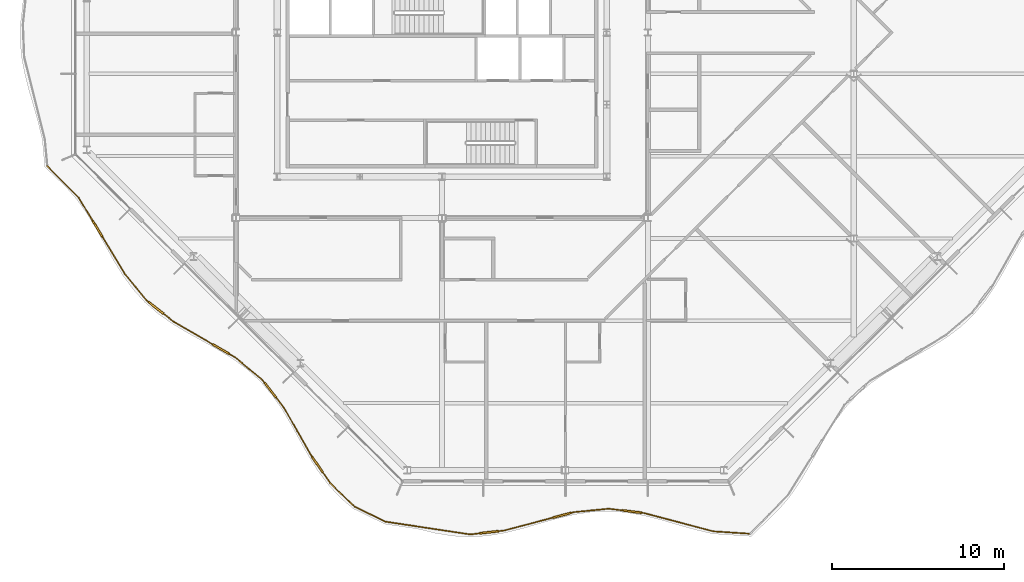
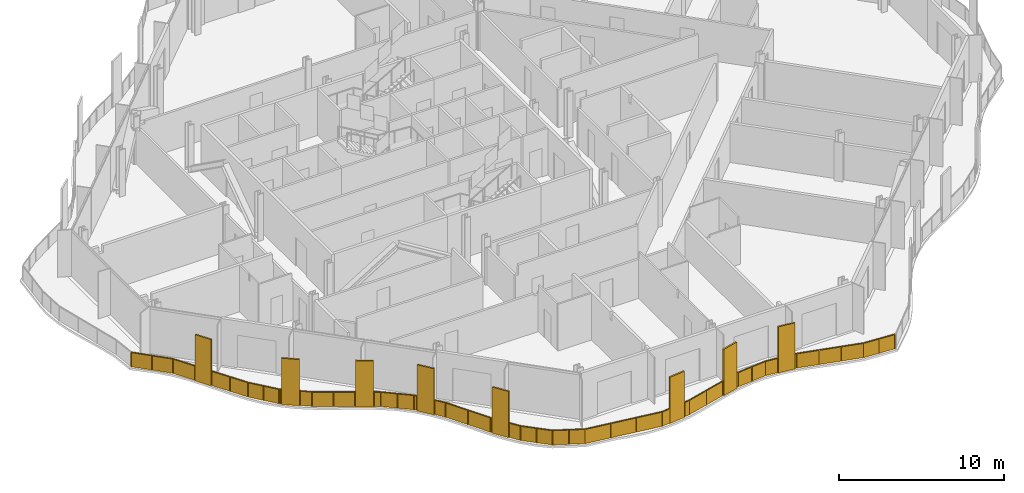
# One storey, part 13 of 17: 1 railing.
"""IFC4 building model written with IfcOpenShell, lengths in metres."""

from ifc_helpers import new_model, si_unit, direction, frame, origin, origin_2d, place, context, subcontext, project, spatial, polyline, rectangle, outline, extrude, material, type_object, element, save


model = new_model("IFC4")

# Units and contexts
model_context = context("Model", 3, precision=1e-05, world=origin(), true_north=direction((0.0, 1.0)))
body_context = subcontext(model_context, "Body", "Model", "MODEL_VIEW")
ifc_project = project(units=[si_unit("LENGTHUNIT", "METRE"), si_unit("AREAUNIT", "SQUARE_METRE"), si_unit("VOLUMEUNIT", "CUBIC_METRE"), si_unit("PLANEANGLEUNIT", "RADIAN"), si_unit("MASSUNIT", "GRAM", prefix="KILO")], contexts=[model_context])

# Site, building, storey
site_placement = place(None, origin())
site = spatial("IfcSite", under=ifc_project, at=site_placement, CompositionType="ELEMENT")
building_placement = place(site_placement, origin())
building = spatial("IfcBuilding", under=site, at=building_placement, Name="Cairn Pilgrim Tower", CompositionType="ELEMENT")
storey_placement = place(building_placement, frame((0.0, 0.0, 221.39990234375)))
storey = spatial("IfcBuildingStorey", under=building, at=storey_placement, Name="L56", CompositionType="ELEMENT", Elevation=221.39990234375)

# Railing
ifc_material = material(Name="Bronze anodised aluminium rail, posts and fin screens with laminated glass infill", Category="aluminium")
railing_type = type_object("IfcRailingType", Name="BALCONY GUARD WITH FIN SCREENS", PredefinedType="GUARDRAIL", material=ifc_material)
railing_placement = place(storey_placement, frame((-15.80615234375, -5.375, 0.0)))
element("IfcRailing", 1, at=railing_placement, inside=storey, type_object=railing_type, Name="Balcony guard BGF-7 with fin screens", PredefinedType="GUARDRAIL", context=body_context, shape_type="SweptSolid", body=[
    extrude(rectangle(XDim=0.050048828125, YDim=0.050048828125, at=origin_2d()), frame((0.0, 0.0, 1.0751953125), z_axis=(0.703225648841, -0.710966726938, 0.0), x_axis=(0.710966726938, 0.703225648841, 0.0)), (0.0, 0.0, 1.0), 2.61767578125),
    extrude(rectangle(XDim=1.10009765625, YDim=0.110107421875, at=origin_2d()), frame((2.92529296875, -3.65185546875, 0.0), z_axis=(0.0, 0.0, 1.0), x_axis=(0.518002181732, -0.855379295822, 0.0)), (0.0, 0.0, 1.0), 3.39990234375),
    extrude(rectangle(XDim=0.050048828125, YDim=0.050048828125, at=origin_2d()), frame((1.8408203125, -1.861083984375, 1.0751953125), z_axis=(0.518002181732, -0.855379295822, 0.0), x_axis=(0.855379295822, 0.518002181732, 0.0)), (0.0, 0.0, 1.0), 1.54345703125),
    extrude(rectangle(XDim=0.050048828125, YDim=0.050048828125, at=origin_2d()), frame((3.210205078125, -4.122314453125, 1.0751953125), z_axis=(0.518002181732, -0.855379295822, 0.0), x_axis=(0.855379295822, 0.518002181732, 0.0)), (0.0, 0.0, 1.0), 2.54150390625),
    extrude(rectangle(XDim=0.050048828125, YDim=0.050048828125, at=origin_2d()), frame((4.526611328125, -6.296142578125, 1.0751953125), z_axis=(0.634057622113, -0.773285802172, 0.0), x_axis=(0.773285802172, 0.634057622113, 0.0)), (0.0, 0.0, 1.0), 1.99365234375),
    extrude(rectangle(XDim=1.10009765625, YDim=0.110107421875, at=origin_2d()), frame((6.342041015625, -8.26953125, 0.0), z_axis=(0.0, 0.0, 1.0), x_axis=(0.787342642203, -0.616515663847, 0.0)), (0.0, 0.0, 1.0), 3.39990234375),
    extrude(rectangle(XDim=0.050048828125, YDim=0.050048828125, at=origin_2d()), frame((5.790771484375, -7.837890625, 1.0751953125), z_axis=(0.787342642203, -0.616515663847, 0.0), x_axis=(0.616515663847, 0.787342642203, 0.0)), (0.0, 0.0, 1.0), 0.150146484375),
    extrude(rectangle(XDim=0.050048828125, YDim=0.050048828125, at=origin_2d()), frame((6.775146484375, -8.608642578125, 1.0751953125), z_axis=(0.787342642203, -0.616515663847, 0.0), x_axis=(0.616515663847, 0.787342642203, 0.0)), (0.0, 0.0, 1.0), 0.749267578125),
    extrude(rectangle(XDim=1.10009765625, YDim=0.110107421875, at=origin_2d()), frame((10.12109375, -10.673828125, 0.0), z_axis=(0.0, 0.0, 1.0), x_axis=(0.864409977314, -0.502787620294, 0.0)), (0.0, 0.0, 1.0), 3.39990234375),
    extrude(rectangle(XDim=0.050048828125, YDim=0.050048828125, at=origin_2d()), frame((7.364990234375, -9.070556640625, 1.0751953125), z_axis=(0.864409977314, -0.502787620294, 0.0), x_axis=(0.502787620294, 0.864409977314, 0.0)), (0.0, 0.0, 1.0), 2.638427734375),
    extrude(rectangle(XDim=0.050048828125, YDim=0.050048828125, at=origin_2d()), frame((10.5966796875, -10.9501953125, 1.0751953125), z_axis=(0.864409977314, -0.502787620294, 0.0), x_axis=(0.502787620294, 0.864409977314, 0.0)), (0.0, 0.0, 1.0), 0.42431640625),
    extrude(rectangle(XDim=0.050048828125, YDim=0.050048828125, at=origin_2d()), frame((10.96337890625, -11.16357421875, 1.0751953125), z_axis=(0.770238920419, -0.63775544331, 0.0), x_axis=(0.63775544331, 0.770238920419, 0.0)), (0.0, 0.0, 1.0), 2.049072265625),
    extrude(rectangle(XDim=1.10009765625, YDim=0.110107421875, at=origin_2d()), frame((13.008056640625, -13.071533203125, 0.0), z_axis=(0.0, 0.0, 1.0), x_axis=(0.612887116001, -0.790170477201, 0.0)), (0.0, 0.0, 1.0), 3.39990234375),
    extrude(rectangle(XDim=0.050048828125, YDim=0.050048828125, at=origin_2d()), frame((12.541748046875, -12.470458984375, 1.0751953125), z_axis=(0.612887116001, -0.790170477201, 0.0), x_axis=(0.790170477201, 0.612887116001, 0.0)), (0.0, 0.0, 1.0), 0.210693359375),
    extrude(rectangle(XDim=0.050048828125, YDim=0.050048828125, at=origin_2d()), frame((13.344970703125, -13.506103515625, 1.0751953125), z_axis=(0.612887116001, -0.790170477201, 0.0), x_axis=(0.790170477201, 0.612887116001, 0.0)), (0.0, 0.0, 1.0), 0.743896484375),
    extrude(rectangle(XDim=0.050048828125, YDim=0.050048828125, at=origin_2d()), frame((13.801025390625, -14.093994140625, 1.0751953125), z_axis=(0.494073652808, -0.869420051299, 0.0), x_axis=(0.869420051299, 0.494073652808, 0.0)), (0.0, 0.0, 1.0), 3.1337890625),
    extrude(rectangle(XDim=1.10009765625, YDim=0.110107421875, at=origin_2d()), frame((15.74462890625, -17.396240234375, 0.0), z_axis=(0.0, 0.0, 1.0), x_axis=(0.564817944853, -0.825215541039, 0.0)), (0.0, 0.0, 1.0), 3.39990234375),
    extrude(rectangle(XDim=0.050048828125, YDim=0.050048828125, at=origin_2d()), frame((15.349365234375, -16.818603515625, 1.0751953125), z_axis=(0.564817944853, -0.825215541039, 0.0), x_axis=(0.825215541039, 0.564817944853, 0.0)), (0.0, 0.0, 1.0), 0.14990234375),
    extrude(rectangle(XDim=0.050048828125, YDim=0.050048828125, at=origin_2d()), frame((16.055419921875, -17.85009765625, 1.0751953125), z_axis=(0.564817944853, -0.825215541039, 0.0), x_axis=(0.825215541039, 0.564817944853, 0.0)), (0.0, 0.0, 1.0), 0.774169921875),
    extrude(rectangle(XDim=0.050048828125, YDim=0.050048828125, at=origin_2d()), frame((16.49267578125, -18.489013671875, 1.0751953125), z_axis=(0.722889046607, -0.690964128082, 0.0), x_axis=(0.690964128082, 0.722889046607, 0.0)), (0.0, 0.0, 1.0), 1.972900390625),
    extrude(rectangle(XDim=0.050048828125, YDim=0.050048828125, at=origin_2d()), frame((17.9189453125, -19.852294921875, 1.0751953125), z_axis=(0.898868001889, -0.438219482885, 0.0), x_axis=(0.438219482885, 0.898868001889, 0.0)), (0.0, 0.0, 1.0), 2.0029296875),
    extrude(rectangle(XDim=0.050048828125, YDim=0.050048828125, at=origin_2d()), frame((19.71923828125, -20.72998046875, 1.0751953125), z_axis=(0.98882115773, -0.149106398339, 0.0), x_axis=(0.149106398339, 0.98882115773, 0.0)), (0.0, 0.0, 1.0), 4.9873046875),
    extrude(rectangle(XDim=1.10009765625, YDim=0.110107421875, at=origin_2d()), frame((25.748779296875, -21.34716796875, 0.0), z_axis=(0.0, 0.0, 1.0), x_axis=(0.993419071083, 0.114536235351, 0.0)), (0.0, 0.0, 1.0), 3.39990234375),
    extrude(rectangle(XDim=0.050048828125, YDim=0.050048828125, at=origin_2d()), frame((24.65087890625, -21.4736328125, 1.0751953125), z_axis=(0.993419071083, 0.114536235351, 0.0), x_axis=(-0.114536235351, 0.993419071083, 0.0)), (0.0, 0.0, 1.0), 0.55517578125),
    extrude(rectangle(XDim=0.050048828125, YDim=0.050048828125, at=origin_2d()), frame((26.295166015625, -21.2841796875, 1.0751953125), z_axis=(0.993419071083, 0.114536235351, 0.0), x_axis=(-0.114536235351, 0.993419071083, 0.0)), (0.0, 0.0, 1.0), 0.3486328125),
    extrude(rectangle(XDim=1.10009765625, YDim=0.110107421875, at=origin_2d()), frame((30.008056640625, -20.35400390625, 0.0), z_axis=(0.0, 0.0, 1.0), x_axis=(0.966778237652, 0.255616586323, 0.0)), (0.0, 0.0, 1.0), 3.39990234375),
    extrude(rectangle(XDim=0.050048828125, YDim=0.050048828125, at=origin_2d()), frame((26.641357421875, -21.244140625, 1.0751953125), z_axis=(0.966778237652, 0.255616586323, 0.0), x_axis=(-0.255616586323, 0.966778237652, 0.0)), (0.0, 0.0, 1.0), 2.9326171875),
    extrude(rectangle(XDim=0.050048828125, YDim=0.050048828125, at=origin_2d()), frame((30.539794921875, -20.21337890625, 1.0751953125), z_axis=(0.966778237652, 0.255616586323, 0.0), x_axis=(-0.255616586323, 0.966778237652, 0.0)), (0.0, 0.0, 1.0), 0.14990234375),
    extrude(rectangle(XDim=0.050048828125, YDim=0.050048828125, at=origin_2d()), frame((30.684814453125, -20.175048828125, 1.0751953125), z_axis=(0.995274913369, 0.097097099946, 0.0), x_axis=(-0.097097099946, 0.995274913369, 0.0)), (0.0, 0.0, 1.0), 2.059326171875),
    extrude(rectangle(XDim=1.10009765625, YDim=0.110107421875, at=origin_2d()), frame((34.08740234375, -20.142578125, 0.0), z_axis=(0.0, 0.0, 1.0), x_axis=(0.992428237928, -0.12282586276, 0.0)), (0.0, 0.0, 1.0), 3.39990234375),
    extrude(rectangle(XDim=0.050048828125, YDim=0.050048828125, at=origin_2d()), frame((32.734375, -19.97509765625, 1.0751953125), z_axis=(0.992428237928, -0.12282586276, 0.0), x_axis=(0.12282586276, 0.992428237928, 0.0)), (0.0, 0.0, 1.0), 0.8134765625),
    extrude(rectangle(XDim=0.050048828125, YDim=0.050048828125, at=origin_2d()), frame((34.63330078125, -20.210205078125, 1.0751953125), z_axis=(0.992428237928, -0.12282586276, 0.0), x_axis=(0.12282586276, 0.992428237928, 0.0)), (0.0, 0.0, 1.0), 0.14990234375),
    extrude(rectangle(XDim=0.050048828125, YDim=0.050048828125, at=origin_2d()), frame((34.781982421875, -20.228515625, 1.0751953125), z_axis=(0.966878119658, -0.255238519283, 0.0), x_axis=(0.255238519283, 0.966878119658, 0.0)), (0.0, 0.0, 1.0), 4.17626953125),
    extrude(rectangle(XDim=0.050048828125, YDim=0.050048828125, at=origin_2d()), frame((38.81982421875, -21.29443359375, 1.0751953125), z_axis=(0.997906462396, -0.064673737393, 0.0), x_axis=(0.064673737393, 0.997906462396, 0.0)), (0.0, 0.0, 1.0), 2.098876953125),
    extrude(rectangle(XDim=0.050048828125, YDim=0.050048828125, at=origin_2d()), origin(), (0.0, 0.0, 1.0), 1.050048828125),
    extrude(rectangle(XDim=0.050048828125, YDim=0.050048828125, at=origin_2d()), frame((0.92041015625, -0.9306640625, 0.0)), (0.0, 0.0, 1.0), 1.050048828125),
    extrude(rectangle(XDim=0.050048828125, YDim=0.050048828125, at=origin_2d()), frame((1.8408203125, -1.861083984375, 0.0)), (0.0, 0.0, 1.0), 1.050048828125),
    extrude(rectangle(XDim=0.050048828125, YDim=0.050048828125, at=origin_2d()), frame((2.62744140625, -3.159912109375, 0.0)), (0.0, 0.0, 1.0), 1.050048828125),
    extrude(rectangle(XDim=0.050048828125, YDim=0.050048828125, at=origin_2d()), frame((3.22314453125, -4.1435546875, 0.0)), (0.0, 0.0, 1.0), 1.050048828125),
    extrude(rectangle(XDim=0.050048828125, YDim=0.050048828125, at=origin_2d()), frame((3.874755859375, -5.219970703125, 0.0)), (0.0, 0.0, 1.0), 1.050048828125),
    extrude(rectangle(XDim=0.050048828125, YDim=0.050048828125, at=origin_2d()), frame((4.526611328125, -6.296142578125, 0.0)), (0.0, 0.0, 1.0), 1.050048828125),
    extrude(rectangle(XDim=0.050048828125, YDim=0.050048828125, at=origin_2d()), frame((5.15869140625, -7.06689453125, 0.0)), (0.0, 0.0, 1.0), 1.050048828125),
    extrude(rectangle(XDim=0.050048828125, YDim=0.050048828125, at=origin_2d()), frame((5.790771484375, -7.837890625, 0.0)), (0.0, 0.0, 1.0), 1.050048828125),
    extrude(rectangle(XDim=0.050048828125, YDim=0.050048828125, at=origin_2d()), frame((5.889404296875, -7.9150390625, 0.0)), (0.0, 0.0, 1.0), 1.050048828125),
    extrude(rectangle(XDim=0.050048828125, YDim=0.050048828125, at=origin_2d()), frame((6.794677734375, -8.6240234375, 0.0)), (0.0, 0.0, 1.0), 1.050048828125),
    extrude(rectangle(XDim=0.050048828125, YDim=0.050048828125, at=origin_2d()), frame((7.364990234375, -9.070556640625, 0.0)), (0.0, 0.0, 1.0), 1.050048828125),
    extrude(rectangle(XDim=0.050048828125, YDim=0.050048828125, at=origin_2d()), frame((8.49462890625, -9.7275390625, 0.0)), (0.0, 0.0, 1.0), 1.050048828125),
    extrude(rectangle(XDim=0.050048828125, YDim=0.050048828125, at=origin_2d()), frame((9.6240234375, -10.384521484375, 0.0)), (0.0, 0.0, 1.0), 1.050048828125),
    extrude(rectangle(XDim=0.050048828125, YDim=0.050048828125, at=origin_2d()), frame((10.6181640625, -10.962890625, 0.0)), (0.0, 0.0, 1.0), 1.050048828125),
    extrude(rectangle(XDim=0.050048828125, YDim=0.050048828125, at=origin_2d()), frame((10.96337890625, -11.16357421875, 0.0)), (0.0, 0.0, 1.0), 1.050048828125),
    extrude(rectangle(XDim=0.050048828125, YDim=0.050048828125, at=origin_2d()), frame((11.75244140625, -11.81689453125, 0.0)), (0.0, 0.0, 1.0), 1.050048828125),
    extrude(rectangle(XDim=0.050048828125, YDim=0.050048828125, at=origin_2d()), frame((12.541748046875, -12.470458984375, 0.0)), (0.0, 0.0, 1.0), 1.050048828125),
    extrude(rectangle(XDim=0.050048828125, YDim=0.050048828125, at=origin_2d()), frame((12.655517578125, -12.6171875, 0.0)), (0.0, 0.0, 1.0), 1.050048828125),
    extrude(rectangle(XDim=0.050048828125, YDim=0.050048828125, at=origin_2d()), frame((13.3603515625, -13.52587890625, 0.0)), (0.0, 0.0, 1.0), 1.050048828125),
    extrude(rectangle(XDim=0.050048828125, YDim=0.050048828125, at=origin_2d()), frame((13.801025390625, -14.093994140625, 0.0)), (0.0, 0.0, 1.0), 1.050048828125),
    extrude(rectangle(XDim=0.050048828125, YDim=0.050048828125, at=origin_2d()), frame((14.5751953125, -15.456298828125, 0.0)), (0.0, 0.0, 1.0), 1.050048828125),
    extrude(rectangle(XDim=0.050048828125, YDim=0.050048828125, at=origin_2d()), frame((15.349365234375, -16.818603515625, 0.0)), (0.0, 0.0, 1.0), 1.050048828125),
    extrude(rectangle(XDim=0.050048828125, YDim=0.050048828125, at=origin_2d()), frame((15.419921875, -16.921630859375, 0.0)), (0.0, 0.0, 1.0), 1.050048828125),
    extrude(rectangle(XDim=0.050048828125, YDim=0.050048828125, at=origin_2d()), frame((16.069580078125, -17.87060546875, 0.0)), (0.0, 0.0, 1.0), 1.050048828125),
    extrude(rectangle(XDim=0.050048828125, YDim=0.050048828125, at=origin_2d()), frame((16.49267578125, -18.489013671875, 0.0)), (0.0, 0.0, 1.0), 1.050048828125),
    extrude(rectangle(XDim=0.050048828125, YDim=0.050048828125, at=origin_2d()), frame((17.205810546875, -19.170654296875, 0.0)), (0.0, 0.0, 1.0), 1.050048828125),
    extrude(rectangle(XDim=0.050048828125, YDim=0.050048828125, at=origin_2d()), frame((17.9189453125, -19.852294921875, 0.0)), (0.0, 0.0, 1.0), 1.050048828125),
    extrude(rectangle(XDim=0.050048828125, YDim=0.050048828125, at=origin_2d()), frame((18.819091796875, -20.291015625, 0.0)), (0.0, 0.0, 1.0), 1.050048828125),
    extrude(rectangle(XDim=0.050048828125, YDim=0.050048828125, at=origin_2d()), frame((19.71923828125, -20.72998046875, 0.0)), (0.0, 0.0, 1.0), 1.050048828125),
    extrude(rectangle(XDim=0.050048828125, YDim=0.050048828125, at=origin_2d()), frame((21.363037109375, -20.977783203125, 0.0)), (0.0, 0.0, 1.0), 1.050048828125),
    extrude(rectangle(XDim=0.050048828125, YDim=0.050048828125, at=origin_2d()), frame((23.007080078125, -21.225830078125, 0.0)), (0.0, 0.0, 1.0), 1.050048828125),
    extrude(rectangle(XDim=0.050048828125, YDim=0.050048828125, at=origin_2d()), frame((24.65087890625, -21.4736328125, 0.0)), (0.0, 0.0, 1.0), 1.050048828125),
    extrude(rectangle(XDim=0.050048828125, YDim=0.050048828125, at=origin_2d()), frame((25.177490234375, -21.412841796875, 0.0)), (0.0, 0.0, 1.0), 1.050048828125),
    extrude(rectangle(XDim=0.050048828125, YDim=0.050048828125, at=origin_2d()), frame((26.31982421875, -21.28125, 0.0)), (0.0, 0.0, 1.0), 1.050048828125),
    extrude(rectangle(XDim=0.050048828125, YDim=0.050048828125, at=origin_2d()), frame((26.641357421875, -21.244140625, 0.0)), (0.0, 0.0, 1.0), 1.050048828125),
    extrude(rectangle(XDim=0.050048828125, YDim=0.050048828125, at=origin_2d()), frame((28.046875, -20.87255859375, 0.0)), (0.0, 0.0, 1.0), 1.050048828125),
    extrude(rectangle(XDim=0.050048828125, YDim=0.050048828125, at=origin_2d()), frame((29.4521484375, -20.5009765625, 0.0)), (0.0, 0.0, 1.0), 1.050048828125),
    extrude(rectangle(XDim=0.050048828125, YDim=0.050048828125, at=origin_2d()), frame((30.564208984375, -20.20703125, 0.0)), (0.0, 0.0, 1.0), 1.050048828125),
    extrude(rectangle(XDim=0.050048828125, YDim=0.050048828125, at=origin_2d()), frame((30.684814453125, -20.175048828125, 0.0)), (0.0, 0.0, 1.0), 1.050048828125),
    extrude(rectangle(XDim=0.050048828125, YDim=0.050048828125, at=origin_2d()), frame((31.70947265625, -20.0751953125, 0.0)), (0.0, 0.0, 1.0), 1.050048828125),
    extrude(rectangle(XDim=0.050048828125, YDim=0.050048828125, at=origin_2d()), frame((32.734375, -19.97509765625, 0.0)), (0.0, 0.0, 1.0), 1.050048828125),
    extrude(rectangle(XDim=0.050048828125, YDim=0.050048828125, at=origin_2d()), frame((33.516845703125, -20.072021484375, 0.0)), (0.0, 0.0, 1.0), 1.050048828125),
    extrude(rectangle(XDim=0.050048828125, YDim=0.050048828125, at=origin_2d()), frame((34.658203125, -20.213134765625, 0.0)), (0.0, 0.0, 1.0), 1.050048828125),
    extrude(rectangle(XDim=0.050048828125, YDim=0.050048828125, at=origin_2d()), frame((34.781982421875, -20.228515625, 0.0)), (0.0, 0.0, 1.0), 1.050048828125),
    extrude(rectangle(XDim=0.050048828125, YDim=0.050048828125, at=origin_2d()), frame((36.1279296875, -20.583740234375, 0.0)), (0.0, 0.0, 1.0), 1.050048828125),
    extrude(rectangle(XDim=0.050048828125, YDim=0.050048828125, at=origin_2d()), frame((37.473876953125, -20.939208984375, 0.0)), (0.0, 0.0, 1.0), 1.050048828125),
    extrude(rectangle(XDim=0.050048828125, YDim=0.050048828125, at=origin_2d()), frame((38.81982421875, -21.29443359375, 0.0)), (0.0, 0.0, 1.0), 1.050048828125),
    extrude(rectangle(XDim=0.050048828125, YDim=0.050048828125, at=origin_2d()), frame((39.8671875, -21.3623046875, 0.0)), (0.0, 0.0, 1.0), 1.050048828125),
    extrude(rectangle(XDim=0.050048828125, YDim=0.050048828125, at=origin_2d()), frame((40.914306640625, -21.43017578125, 0.0)), (0.0, 0.0, 1.0), 1.050048828125),
    extrude(outline(polyline([(0.02490234375, 0.0), (1.283935546875, 0.0), (1.283935546875, 1.050048828125), (0.02490234375, 1.050048828125), (0.02490234375, 0.0)])), frame((0.004150390625, 0.004150390625, 0.0), z_axis=(-0.710966726938, -0.703225648841, 0.0), x_axis=(0.703225648841, -0.710966726938, 0.0)), (0.0, 0.0, 1.0), 0.011962890625),
    extrude(outline(polyline([(0.02490234375, 0.0), (1.283935546875, 0.0), (1.283935546875, 1.050048828125), (0.02490234375, 1.050048828125), (0.02490234375, 0.0)])), frame((0.924560546875, -0.92626953125, 0.0), z_axis=(-0.710966726938, -0.703225648841, 0.0), x_axis=(0.703225648841, -0.710966726938, 0.0)), (0.0, 0.0, 1.0), 0.011962890625),
    extrude(outline(polyline([(0.02490234375, 0.0), (1.493408203125, 0.0), (1.493408203125, 1.050048828125), (0.02490234375, 1.050048828125), (0.02490234375, 0.0)])), frame((1.845947265625, -1.85791015625, 0.0), z_axis=(-0.855379295822, -0.518002181732, 0.0), x_axis=(0.518002181732, -0.855379295822, 0.0)), (0.0, 0.0, 1.0), 0.011962890625),
    extrude(outline(polyline([(0.02490234375, 0.0), (1.233154296875, 0.0), (1.233154296875, 1.050048828125), (0.02490234375, 1.050048828125), (0.02490234375, 0.0)])), frame((3.228271484375, -4.140625, 0.0), z_axis=(-0.855379295822, -0.518002181732, 0.0), x_axis=(0.518002181732, -0.855379295822, 0.0)), (0.0, 0.0, 1.0), 0.011962890625),
    extrude(outline(polyline([(0.02490234375, 0.0), (1.233154296875, 0.0), (1.233154296875, 1.050048828125), (0.02490234375, 1.050048828125), (0.02490234375, 0.0)])), frame((3.8798828125, -5.216796875, 0.0), z_axis=(-0.855379295822, -0.518002181732, 0.0), x_axis=(0.518002181732, -0.855379295822, 0.0)), (0.0, 0.0, 1.0), 0.011962890625),
    extrude(outline(polyline([(0.02490234375, 0.0), (0.971923828125, 0.0), (0.971923828125, 1.050048828125), (0.02490234375, 1.050048828125), (0.02490234375, 0.0)])), frame((4.53125, -6.292236328125, 0.0), z_axis=(-0.773285802172, -0.634057622113, 0.0), x_axis=(0.634057622113, -0.773285802172, 0.0)), (0.0, 0.0, 1.0), 0.011962890625),
    extrude(outline(polyline([(0.02490234375, 0.0), (0.971923828125, 0.0), (0.971923828125, 1.050048828125), (0.02490234375, 1.050048828125), (0.02490234375, 0.0)])), frame((5.163330078125, -7.063232421875, 0.0), z_axis=(-0.773285802172, -0.634057622113, 0.0), x_axis=(0.634057622113, -0.773285802172, 0.0)), (0.0, 0.0, 1.0), 0.011962890625),
    extrude(outline(polyline([(0.02490234375, 0.0), (0.10009765625, 0.0), (0.10009765625, 1.050048828125), (0.02490234375, 1.050048828125), (0.02490234375, 0.0)])), frame((5.79443359375, -7.833251953125, 0.0), z_axis=(-0.616515663847, -0.787342642203, 0.0), x_axis=(0.787342642203, -0.616515663847, 0.0)), (0.0, 0.0, 1.0), 0.011962890625),
    extrude(outline(polyline([(0.02490234375, 0.0), (0.69921875, 0.0), (0.69921875, 1.050048828125), (0.02490234375, 1.050048828125), (0.02490234375, 0.0)])), frame((6.79833984375, -8.619384765625, 0.0), z_axis=(-0.616515663847, -0.787342642203, 0.0), x_axis=(0.787342642203, -0.616515663847, 0.0)), (0.0, 0.0, 1.0), 0.011962890625),
    extrude(outline(polyline([(0.02490234375, 0.0), (1.28173828125, 0.0), (1.28173828125, 1.050048828125), (0.02490234375, 1.050048828125), (0.02490234375, 0.0)])), frame((7.367919921875, -9.0654296875, 0.0), z_axis=(-0.502787620294, -0.864409977314, 0.0), x_axis=(0.864409977314, -0.502787620294, 0.0)), (0.0, 0.0, 1.0), 0.011962890625),
    extrude(outline(polyline([(0.02490234375, 0.0), (1.28173828125, 0.0), (1.28173828125, 1.050048828125), (0.02490234375, 1.050048828125), (0.02490234375, 0.0)])), frame((8.49755859375, -9.722412109375, 0.0), z_axis=(-0.502787620294, -0.864409977314, 0.0), x_axis=(0.864409977314, -0.502787620294, 0.0)), (0.0, 0.0, 1.0), 0.011962890625),
    extrude(outline(polyline([(0.02490234375, 0.0), (0.374267578125, 0.0), (0.374267578125, 1.050048828125), (0.02490234375, 1.050048828125), (0.02490234375, 0.0)])), frame((10.621337890625, -10.957763671875, 0.0), z_axis=(-0.502787620294, -0.864409977314, 0.0), x_axis=(0.864409977314, -0.502787620294, 0.0)), (0.0, 0.0, 1.0), 0.011962890625),
    extrude(outline(polyline([(0.02490234375, 0.0), (0.99951171875, 0.0), (0.99951171875, 1.050048828125), (0.02490234375, 1.050048828125), (0.02490234375, 0.0)])), frame((10.96728515625, -11.158935546875, 0.0), z_axis=(-0.63775544331, -0.770238920419, 0.0), x_axis=(0.770238920419, -0.63775544331, 0.0)), (0.0, 0.0, 1.0), 0.011962890625),
    extrude(outline(polyline([(0.02490234375, 0.0), (0.99951171875, 0.0), (0.99951171875, 1.050048828125), (0.02490234375, 1.050048828125), (0.02490234375, 0.0)])), frame((11.75634765625, -11.8125, 0.0), z_axis=(-0.63775544331, -0.770238920419, 0.0), x_axis=(0.770238920419, -0.63775544331, 0.0)), (0.0, 0.0, 1.0), 0.011962890625),
    extrude(outline(polyline([(0.02490234375, 0.0), (0.16064453125, 0.0), (0.16064453125, 1.050048828125), (0.02490234375, 1.050048828125), (0.02490234375, 0.0)])), frame((12.54638671875, -12.466796875, 0.0), z_axis=(-0.790170477201, -0.612887116001, 0.0), x_axis=(0.612887116001, -0.790170477201, 0.0)), (0.0, 0.0, 1.0), 0.011962890625),
    extrude(outline(polyline([(0.02490234375, 0.0), (0.69384765625, 0.0), (0.69384765625, 1.050048828125), (0.02490234375, 1.050048828125), (0.02490234375, 0.0)])), frame((13.365234375, -13.522216796875, 0.0), z_axis=(-0.790170477201, -0.612887116001, 0.0), x_axis=(0.612887116001, -0.790170477201, 0.0)), (0.0, 0.0, 1.0), 0.011962890625),
    extrude(outline(polyline([(0.02490234375, 0.0), (1.5419921875, 0.0), (1.5419921875, 1.050048828125), (0.02490234375, 1.050048828125), (0.02490234375, 0.0)])), frame((13.80615234375, -14.091064453125, 0.0), z_axis=(-0.869420051299, -0.494073652808, 0.0), x_axis=(0.494073652808, -0.869420051299, 0.0)), (0.0, 0.0, 1.0), 0.011962890625),
    extrude(outline(polyline([(0.02490234375, 0.0), (1.5419921875, 0.0), (1.5419921875, 1.050048828125), (0.02490234375, 1.050048828125), (0.02490234375, 0.0)])), frame((14.580322265625, -15.453369140625, 0.0), z_axis=(-0.869420051299, -0.494073652808, 0.0), x_axis=(0.494073652808, -0.869420051299, 0.0)), (0.0, 0.0, 1.0), 0.011962890625),
    extrude(outline(polyline([(0.02490234375, 0.0), (0.099853515625, 0.0), (0.099853515625, 1.050048828125), (0.02490234375, 1.050048828125), (0.02490234375, 0.0)])), frame((15.354248046875, -16.815185546875, 0.0), z_axis=(-0.825215541039, -0.564817944853, 0.0), x_axis=(0.564817944853, -0.825215541039, 0.0)), (0.0, 0.0, 1.0), 0.011962890625),
    extrude(outline(polyline([(0.02490234375, 0.0), (0.72412109375, 0.0), (0.72412109375, 1.050048828125), (0.02490234375, 1.050048828125), (0.02490234375, 0.0)])), frame((16.074462890625, -17.867431640625, 0.0), z_axis=(-0.825215541039, -0.564817944853, 0.0), x_axis=(0.564817944853, -0.825215541039, 0.0)), (0.0, 0.0, 1.0), 0.011962890625),
    extrude(outline(polyline([(0.02490234375, 0.0), (0.96142578125, 0.0), (0.96142578125, 1.050048828125), (0.02490234375, 1.050048828125), (0.02490234375, 0.0)])), frame((16.496826171875, -18.484619140625, 0.0), z_axis=(-0.690964128082, -0.722889046607, 0.0), x_axis=(0.722889046607, -0.690964128082, 0.0)), (0.0, 0.0, 1.0), 0.011962890625),
    extrude(outline(polyline([(0.02490234375, 0.0), (0.96142578125, 0.0), (0.96142578125, 1.050048828125), (0.02490234375, 1.050048828125), (0.02490234375, 0.0)])), frame((17.2099609375, -19.166259765625, 0.0), z_axis=(-0.690964128082, -0.722889046607, 0.0), x_axis=(0.722889046607, -0.690964128082, 0.0)), (0.0, 0.0, 1.0), 0.011962890625),
    extrude(outline(polyline([(0.02490234375, 0.0), (0.976318359375, 0.0), (0.976318359375, 1.050048828125), (0.02490234375, 1.050048828125), (0.02490234375, 0.0)])), frame((17.921630859375, -19.846923828125, 0.0), z_axis=(-0.438219482885, -0.898868001889, 0.0), x_axis=(0.898868001889, -0.438219482885, 0.0)), (0.0, 0.0, 1.0), 0.011962890625),
    extrude(outline(polyline([(0.02490234375, 0.0), (0.976318359375, 0.0), (0.976318359375, 1.050048828125), (0.02490234375, 1.050048828125), (0.02490234375, 0.0)])), frame((18.82177734375, -20.28564453125, 0.0), z_axis=(-0.438219482885, -0.898868001889, 0.0), x_axis=(0.898868001889, -0.438219482885, 0.0)), (0.0, 0.0, 1.0), 0.011962890625),
    extrude(outline(polyline([(0.02490234375, 0.0), (1.637451171875, 0.0), (1.637451171875, 1.050048828125), (0.02490234375, 1.050048828125), (0.02490234375, 0.0)])), frame((19.72021484375, -20.72412109375, 0.0), z_axis=(-0.149106398339, -0.98882115773, 0.0), x_axis=(0.98882115773, -0.149106398339, 0.0)), (0.0, 0.0, 1.0), 0.011962890625),
    extrude(outline(polyline([(0.02490234375, 0.0), (1.637451171875, 0.0), (1.637451171875, 1.050048828125), (0.02490234375, 1.050048828125), (0.02490234375, 0.0)])), frame((21.364013671875, -20.971923828125, 0.0), z_axis=(-0.149106398339, -0.98882115773, 0.0), x_axis=(0.98882115773, -0.149106398339, 0.0)), (0.0, 0.0, 1.0), 0.011962890625),
    extrude(outline(polyline([(0.02490234375, 0.0), (1.637451171875, 0.0), (1.637451171875, 1.050048828125), (0.02490234375, 1.050048828125), (0.02490234375, 0.0)])), frame((23.0078125, -21.2197265625, 0.0), z_axis=(-0.149106398339, -0.98882115773, 0.0), x_axis=(0.98882115773, -0.149106398339, 0.0)), (0.0, 0.0, 1.0), 0.011962890625),
    extrude(outline(polyline([(0.02490234375, 0.0), (0.505126953125, 0.0), (0.505126953125, 1.050048828125), (0.02490234375, 1.050048828125), (0.02490234375, 0.0)])), frame((24.650146484375, -21.4677734375, 0.0), z_axis=(0.114536235351, -0.993419071083, 0.0), x_axis=(0.993419071083, 0.114536235351, 0.0)), (0.0, 0.0, 1.0), 0.011962890625),
    extrude(outline(polyline([(0.02490234375, 0.0), (0.298583984375, 0.0), (0.298583984375, 1.050048828125), (0.02490234375, 1.050048828125), (0.02490234375, 0.0)])), frame((26.3193359375, -21.275146484375, 0.0), z_axis=(0.114536235351, -0.993419071083, 0.0), x_axis=(0.993419071083, 0.114536235351, 0.0)), (0.0, 0.0, 1.0), 0.011962890625),
    extrude(outline(polyline([(0.02490234375, 0.0), (1.4287109375, 0.0), (1.4287109375, 1.050048828125), (0.02490234375, 1.050048828125), (0.02490234375, 0.0)])), frame((26.639892578125, -21.23828125, 0.0), z_axis=(0.255616586323, -0.966778237652, 0.0), x_axis=(0.966778237652, 0.255616586323, 0.0)), (0.0, 0.0, 1.0), 0.011962890625),
    extrude(outline(polyline([(0.02490234375, 0.0), (1.4287109375, 0.0), (1.4287109375, 1.050048828125), (0.02490234375, 1.050048828125), (0.02490234375, 0.0)])), frame((28.045166015625, -20.86669921875, 0.0), z_axis=(0.255616586323, -0.966778237652, 0.0), x_axis=(0.966778237652, 0.255616586323, 0.0)), (0.0, 0.0, 1.0), 0.011962890625),
    extrude(outline(polyline([(0.02490234375, 0.0), (0.099853515625, 0.0), (0.099853515625, 1.050048828125), (0.02490234375, 1.050048828125), (0.02490234375, 0.0)])), frame((30.5625, -20.201171875, 0.0), z_axis=(0.255616586323, -0.966778237652, 0.0), x_axis=(0.966778237652, 0.255616586323, 0.0)), (0.0, 0.0, 1.0), 0.011962890625),
    extrude(outline(polyline([(0.02490234375, 0.0), (1.004638671875, 0.0), (1.004638671875, 1.050048828125), (0.02490234375, 1.050048828125), (0.02490234375, 0.0)])), frame((30.684326171875, -20.169189453125, 0.0), z_axis=(0.097097099946, -0.995274913369, 0.0), x_axis=(0.995274913369, 0.097097099946, 0.0)), (0.0, 0.0, 1.0), 0.011962890625),
    extrude(outline(polyline([(0.02490234375, 0.0), (1.004638671875, 0.0), (1.004638671875, 1.050048828125), (0.02490234375, 1.050048828125), (0.02490234375, 0.0)])), frame((31.708984375, -20.069091796875, 0.0), z_axis=(0.097097099946, -0.995274913369, 0.0), x_axis=(0.995274913369, 0.097097099946, 0.0)), (0.0, 0.0, 1.0), 0.011962890625),
    extrude(outline(polyline([(0.02490234375, 0.0), (0.763427734375, 0.0), (0.763427734375, 1.050048828125), (0.02490234375, 1.050048828125), (0.02490234375, 0.0)])), frame((32.735107421875, -19.96923828125, 0.0), z_axis=(-0.12282586276, -0.992428237928, 0.0), x_axis=(0.992428237928, -0.12282586276, 0.0)), (0.0, 0.0, 1.0), 0.011962890625),
    extrude(outline(polyline([(0.02490234375, 0.0), (0.099853515625, 0.0), (0.099853515625, 1.050048828125), (0.02490234375, 1.050048828125), (0.02490234375, 0.0)])), frame((34.658935546875, -20.207275390625, 0.0), z_axis=(-0.12282586276, -0.992428237928, 0.0), x_axis=(0.992428237928, -0.12282586276, 0.0)), (0.0, 0.0, 1.0), 0.011962890625),
    extrude(outline(polyline([(0.02490234375, 0.0), (1.366943359375, 0.0), (1.366943359375, 1.050048828125), (0.02490234375, 1.050048828125), (0.02490234375, 0.0)])), frame((34.783447265625, -20.22265625, 0.0), z_axis=(-0.255238519283, -0.966878119658, 0.0), x_axis=(0.966878119658, -0.255238519283, 0.0)), (0.0, 0.0, 1.0), 0.011962890625),
    extrude(outline(polyline([(0.02490234375, 0.0), (1.366943359375, 0.0), (1.366943359375, 1.050048828125), (0.02490234375, 1.050048828125), (0.02490234375, 0.0)])), frame((36.12939453125, -20.578125, 0.0), z_axis=(-0.255238519283, -0.966878119658, 0.0), x_axis=(0.966878119658, -0.255238519283, 0.0)), (0.0, 0.0, 1.0), 0.011962890625),
    extrude(outline(polyline([(0.02490234375, 0.0), (1.366943359375, 0.0), (1.366943359375, 1.050048828125), (0.02490234375, 1.050048828125), (0.02490234375, 0.0)])), frame((37.475341796875, -20.933349609375, 0.0), z_axis=(-0.255238519283, -0.966878119658, 0.0), x_axis=(0.966878119658, -0.255238519283, 0.0)), (0.0, 0.0, 1.0), 0.011962890625),
    extrude(outline(polyline([(0.02490234375, 0.0), (1.0244140625, 0.0), (1.0244140625, 1.050048828125), (0.02490234375, 1.050048828125), (0.02490234375, 0.0)])), frame((38.8203125, -21.28857421875, 0.0), z_axis=(-0.064673737393, -0.997906462396, 0.0), x_axis=(0.997906462396, -0.064673737393, 0.0)), (0.0, 0.0, 1.0), 0.011962890625),
    extrude(outline(polyline([(0.02490234375, 0.0), (1.0244140625, 0.0), (1.0244140625, 1.050048828125), (0.02490234375, 1.050048828125), (0.02490234375, 0.0)])), frame((39.867431640625, -21.3564453125, 0.0), z_axis=(-0.064673737393, -0.997906462396, 0.0), x_axis=(0.997906462396, -0.064673737393, 0.0)), (0.0, 0.0, 1.0), 0.011962890625),
])

save(model, "model.ifc")
